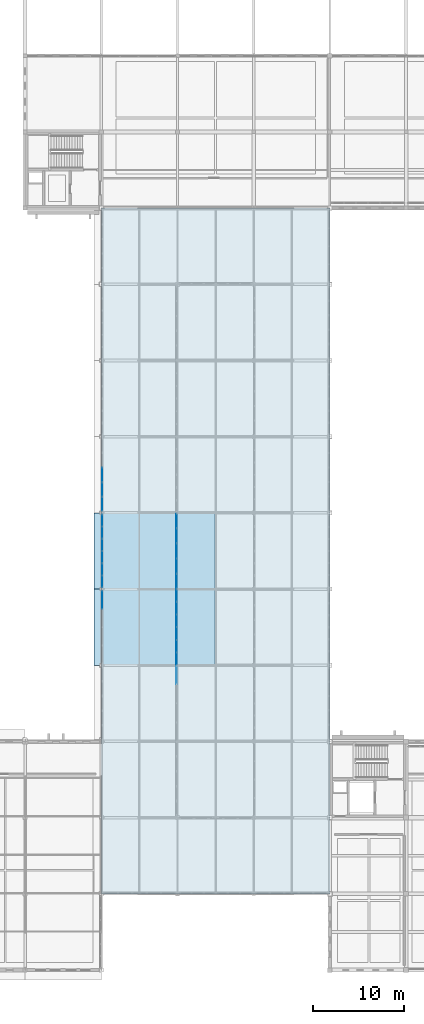
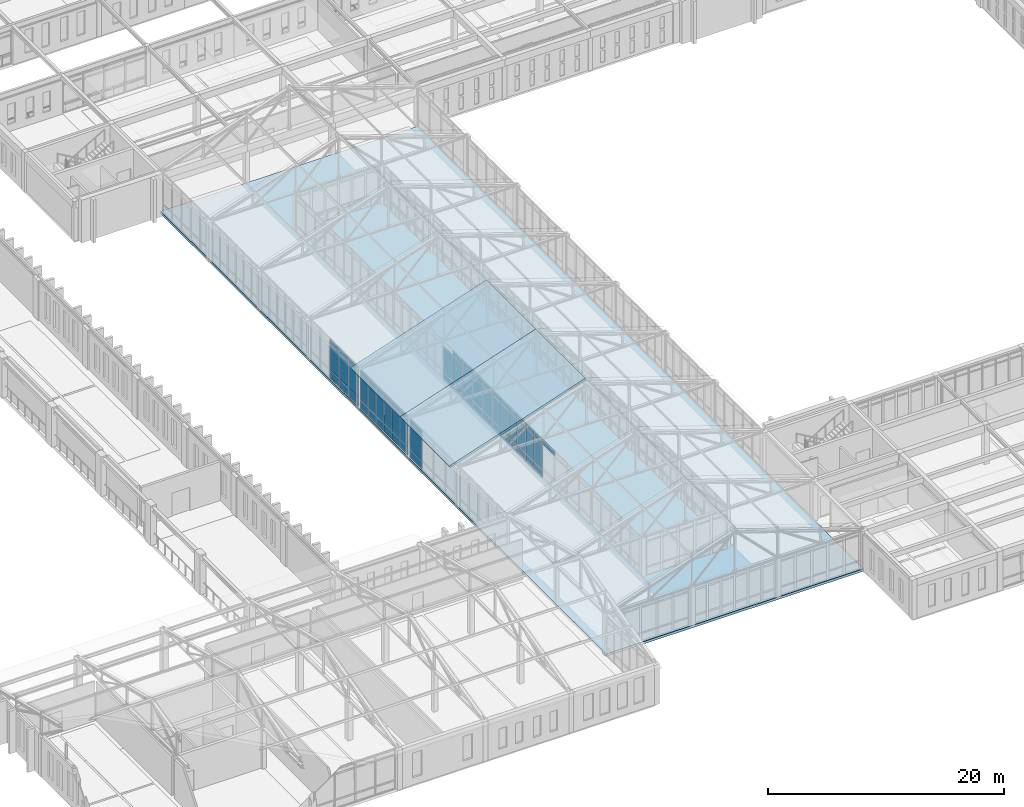
# One storey, part 113 of 192: 63 plates, 3 slabs, 6 elements without a shape of their own.
"""IFC4 building model written with IfcOpenShell, lengths in metres."""

from ifc_helpers import new_model, si_unit, direction, frame, origin, origin_2d, place, context, subcontext, project, spatial, polyline, rectangle, outline, extrude, material, layer, layer_set, type_object, element, aggregate, save


model = new_model("IFC4")

# Units and contexts
model_context = context("Model", 3, precision=1e-05, world=origin(), true_north=direction((0.0, 1.0)))
body_context = subcontext(model_context, "Body", "Model", "MODEL_VIEW")
ifc_project = project(units=[si_unit("LENGTHUNIT", "METRE"), si_unit("AREAUNIT", "SQUARE_METRE"), si_unit("VOLUMEUNIT", "CUBIC_METRE"), si_unit("PLANEANGLEUNIT", "RADIAN"), si_unit("MASSUNIT", "GRAM", prefix="KILO")], contexts=[model_context])

# Site, building, storey
site_placement = place(None, origin())
site = spatial("IfcSite", under=ifc_project, at=site_placement, CompositionType="ELEMENT")
building_placement = place(site_placement, origin())
building = spatial("IfcBuilding", under=site, at=building_placement, Name="Kveldsbrygga Polytechnic", CompositionType="ELEMENT")
storey_placement = place(building_placement, frame((0.0, 0.0, 5.43994140625)))
storey = spatial("IfcBuildingStorey", under=building, at=storey_placement, Name="L01", CompositionType="ELEMENT", Elevation=5.43994140625)

# Curtain wall, plates
ifc_material_1 = material(Name="Anodised aluminium AW-6060", Category="aluminium")
ifc_layer_1 = layer(ifc_material_1, 0.18994140625)
ifc_layer_set_1 = layer_set([ifc_layer_1], Name="Anodised aluminium AW-6060")
curtain_wall_type_1 = type_object("IfcCurtainWallType", Name="CW-REFC-G", PredefinedType="USERDEFINED", material=ifc_layer_set_1)
curtain_wall_1_placement = place(storey_placement, origin())
curtain_wall_1 = element("IfcCurtainWall", 1, at=curtain_wall_1_placement, inside=storey, type_object=curtain_wall_type_1, Name="Curtain Wall CW-L01-Y-07-05", ObjectType="UNITISED CURTAIN WALL", PredefinedType="USERDEFINED")
ifc_material_2 = material(Name="Insulated triple low-E glass", Category="glass")
ifc_layer_2 = layer(ifc_material_2, 0.035888671875)
ifc_layer_set_2 = layer_set([ifc_layer_2], Name="Insulated triple low-E glass")
plate_type_1 = type_object("IfcPlateType", Name="CW-PAN-VIS36", PredefinedType="CURTAIN_PANEL", material=ifc_layer_set_2)
plate_1_placement = place(storey_placement, frame((58.699951171875, 42.858642578125, 0.06005859375), z_axis=(0.0, 0.0, 1.0), x_axis=(0.0, 1.0, 0.0)))
plate_1 = element("IfcPlate", 2, at=plate_1_placement, type_object=plate_type_1, Name="CW-07 panel 1.1", PredefinedType="CURTAIN_PANEL", context=body_context, shape_type="SweptSolid", body=[
    extrude(rectangle(XDim=1.5673828125, YDim=0.035888671875, at=origin_2d()), origin(), (0.0, 0.0, 1.0), 0.81005859375),
])
plate_2_placement = place(storey_placement, frame((58.699951171875, 42.858642578125, 0.93017578125), z_axis=(0.0, 0.0, 1.0), x_axis=(0.0, 1.0, 0.0)))
plate_2 = element("IfcPlate", 3, at=plate_2_placement, type_object=plate_type_1, Name="CW-07 panel 1.2", PredefinedType="CURTAIN_PANEL", context=body_context, shape_type="SweptSolid", body=[
    extrude(rectangle(XDim=1.5673828125, YDim=0.035888671875, at=origin_2d()), origin(), (0.0, 0.0, 1.0), 2.610107421875),
])
plate_3_placement = place(storey_placement, frame((58.699951171875, 42.858642578125, 3.60009765625), z_axis=(0.0, 0.0, 1.0), x_axis=(0.0, 1.0, 0.0)))
plate_3 = element("IfcPlate", 4, at=plate_3_placement, type_object=plate_type_1, Name="CW-07 panel 1.3", PredefinedType="CURTAIN_PANEL", context=body_context, shape_type="SweptSolid", body=[
    extrude(rectangle(XDim=1.5673828125, YDim=0.035888671875, at=origin_2d()), origin(), (0.0, 0.0, 1.0), 0.4599609375),
])
plate_4_placement = place(storey_placement, frame((58.699951171875, 44.52001953125, 0.06005859375), z_axis=(0.0, 0.0, 1.0), x_axis=(0.0, 1.0, 0.0)))
plate_4 = element("IfcPlate", 5, at=plate_4_placement, type_object=plate_type_1, Name="CW-07 panel 2.1", PredefinedType="CURTAIN_PANEL", context=body_context, shape_type="SweptSolid", body=[
    extrude(rectangle(XDim=1.60498046875, YDim=0.035888671875, at=origin_2d()), origin(), (0.0, 0.0, 1.0), 0.81005859375),
])
plate_5_placement = place(storey_placement, frame((58.699951171875, 44.52001953125, 0.93017578125), z_axis=(0.0, 0.0, 1.0), x_axis=(0.0, 1.0, 0.0)))
plate_5 = element("IfcPlate", 6, at=plate_5_placement, type_object=plate_type_1, Name="CW-07 panel 2.2", PredefinedType="CURTAIN_PANEL", context=body_context, shape_type="SweptSolid", body=[
    extrude(rectangle(XDim=1.60498046875, YDim=0.035888671875, at=origin_2d()), origin(), (0.0, 0.0, 1.0), 2.610107421875),
])
plate_6_placement = place(storey_placement, frame((58.699951171875, 44.52001953125, 3.60009765625), z_axis=(0.0, 0.0, 1.0), x_axis=(0.0, 1.0, 0.0)))
plate_6 = element("IfcPlate", 7, at=plate_6_placement, type_object=plate_type_1, Name="CW-07 panel 2.3", PredefinedType="CURTAIN_PANEL", context=body_context, shape_type="SweptSolid", body=[
    extrude(rectangle(XDim=1.60498046875, YDim=0.035888671875, at=origin_2d()), origin(), (0.0, 0.0, 1.0), 0.4599609375),
])
plate_7_placement = place(storey_placement, frame((58.699951171875, 46.199951171875, 0.06005859375), z_axis=(0.0, 0.0, 1.0), x_axis=(0.0, 1.0, 0.0)))
plate_7 = element("IfcPlate", 8, at=plate_7_placement, type_object=plate_type_1, Name="CW-07 panel 3.1", PredefinedType="CURTAIN_PANEL", context=body_context, shape_type="SweptSolid", body=[
    extrude(rectangle(XDim=1.60498046875, YDim=0.035888671875, at=origin_2d()), origin(), (0.0, 0.0, 1.0), 0.81005859375),
])
plate_8_placement = place(storey_placement, frame((58.699951171875, 46.199951171875, 0.93017578125), z_axis=(0.0, 0.0, 1.0), x_axis=(0.0, 1.0, 0.0)))
plate_8 = element("IfcPlate", 9, at=plate_8_placement, type_object=plate_type_1, Name="CW-07 panel 3.2", PredefinedType="CURTAIN_PANEL", context=body_context, shape_type="SweptSolid", body=[
    extrude(rectangle(XDim=1.60498046875, YDim=0.035888671875, at=origin_2d()), origin(), (0.0, 0.0, 1.0), 2.610107421875),
])
plate_9_placement = place(storey_placement, frame((58.699951171875, 46.199951171875, 3.60009765625), z_axis=(0.0, 0.0, 1.0), x_axis=(0.0, 1.0, 0.0)))
plate_9 = element("IfcPlate", 10, at=plate_9_placement, type_object=plate_type_1, Name="CW-07 panel 3.3", PredefinedType="CURTAIN_PANEL", context=body_context, shape_type="SweptSolid", body=[
    extrude(rectangle(XDim=1.60498046875, YDim=0.035888671875, at=origin_2d()), origin(), (0.0, 0.0, 1.0), 0.4599609375),
])
plate_10_placement = place(storey_placement, frame((58.699951171875, 47.8798828125, 0.06005859375), z_axis=(0.0, 0.0, 1.0), x_axis=(0.0, 1.0, 0.0)))
plate_10 = element("IfcPlate", 11, at=plate_10_placement, type_object=plate_type_1, Name="CW-07 panel 4.1", PredefinedType="CURTAIN_PANEL", context=body_context, shape_type="SweptSolid", body=[
    extrude(rectangle(XDim=1.60498046875, YDim=0.035888671875, at=origin_2d()), origin(), (0.0, 0.0, 1.0), 0.81005859375),
])
plate_11_placement = place(storey_placement, frame((58.699951171875, 47.8798828125, 0.93017578125), z_axis=(0.0, 0.0, 1.0), x_axis=(0.0, 1.0, 0.0)))
plate_11 = element("IfcPlate", 12, at=plate_11_placement, type_object=plate_type_1, Name="CW-07 panel 4.2", PredefinedType="CURTAIN_PANEL", context=body_context, shape_type="SweptSolid", body=[
    extrude(rectangle(XDim=1.60498046875, YDim=0.035888671875, at=origin_2d()), origin(), (0.0, 0.0, 1.0), 2.610107421875),
])
plate_12_placement = place(storey_placement, frame((58.699951171875, 47.8798828125, 3.60009765625), z_axis=(0.0, 0.0, 1.0), x_axis=(0.0, 1.0, 0.0)))
plate_12 = element("IfcPlate", 13, at=plate_12_placement, type_object=plate_type_1, Name="CW-07 panel 4.3", PredefinedType="CURTAIN_PANEL", context=body_context, shape_type="SweptSolid", body=[
    extrude(rectangle(XDim=1.60498046875, YDim=0.035888671875, at=origin_2d()), origin(), (0.0, 0.0, 1.0), 0.4599609375),
])
plate_13_placement = place(storey_placement, frame((58.699951171875, 49.541259765625, 0.06005859375), z_axis=(0.0, 0.0, 1.0), x_axis=(0.0, 1.0, 0.0)))
plate_13 = element("IfcPlate", 14, at=plate_13_placement, type_object=plate_type_1, Name="CW-07 panel 5.1", PredefinedType="CURTAIN_PANEL", context=body_context, shape_type="SweptSolid", body=[
    extrude(rectangle(XDim=1.5673828125, YDim=0.035888671875, at=origin_2d()), origin(), (0.0, 0.0, 1.0), 0.81005859375),
])
plate_14_placement = place(storey_placement, frame((58.699951171875, 49.541259765625, 0.93017578125), z_axis=(0.0, 0.0, 1.0), x_axis=(0.0, 1.0, 0.0)))
plate_14 = element("IfcPlate", 15, at=plate_14_placement, type_object=plate_type_1, Name="CW-07 panel 5.2", PredefinedType="CURTAIN_PANEL", context=body_context, shape_type="SweptSolid", body=[
    extrude(rectangle(XDim=1.5673828125, YDim=0.035888671875, at=origin_2d()), origin(), (0.0, 0.0, 1.0), 2.610107421875),
])
aggregate(curtain_wall_1, [plate_1, plate_2, plate_3, plate_4, plate_5, plate_6, plate_7, plate_8, plate_9, plate_10, plate_11, plate_12, plate_13, plate_14])

curtain_wall_2_placement = place(storey_placement, origin())
curtain_wall_2 = element("IfcCurtainWall", 16, at=curtain_wall_2_placement, inside=storey, type_object=curtain_wall_type_1, Name="Curtain Wall CW-L01-Y-06-06", ObjectType="UNITISED CURTAIN WALL", PredefinedType="USERDEFINED")
plate_15_placement = place(storey_placement, frame((50.5, 51.3828125, 0.06005859375), z_axis=(0.0, 0.0, 1.0), x_axis=(0.0, 1.0, 0.0)))
plate_15 = element("IfcPlate", 17, at=plate_15_placement, type_object=plate_type_1, Name="CW-07 panel 1.1", PredefinedType="CURTAIN_PANEL", context=body_context, shape_type="SweptSolid", body=[
    extrude(rectangle(XDim=1.505615234375, YDim=0.035888671875, at=origin_2d()), origin(), (0.0, 0.0, 1.0), 0.81005859375),
])
plate_16_placement = place(storey_placement, frame((50.5, 51.3828125, 0.93017578125), z_axis=(0.0, 0.0, 1.0), x_axis=(0.0, 1.0, 0.0)))
plate_16 = element("IfcPlate", 18, at=plate_16_placement, type_object=plate_type_1, Name="CW-07 panel 1.2", PredefinedType="CURTAIN_PANEL", context=body_context, shape_type="SweptSolid", body=[
    extrude(rectangle(XDim=1.505615234375, YDim=0.035888671875, at=origin_2d()), origin(), (0.0, 0.0, 1.0), 2.610107421875),
])
plate_17_placement = place(storey_placement, frame((50.5, 51.3828125, 3.60009765625), z_axis=(0.0, 0.0, 1.0), x_axis=(0.0, 1.0, 0.0)))
plate_17 = element("IfcPlate", 19, at=plate_17_placement, type_object=plate_type_1, Name="CW-07 panel 1.3", PredefinedType="CURTAIN_PANEL", context=body_context, shape_type="SweptSolid", body=[
    extrude(rectangle(XDim=1.505615234375, YDim=0.035888671875, at=origin_2d()), origin(), (0.0, 0.0, 1.0), 0.4599609375),
])
plate_18_placement = place(storey_placement, frame((50.5, 52.98193359375, 0.06005859375), z_axis=(0.0, 0.0, 1.0), x_axis=(0.0, 1.0, 0.0)))
plate_18 = element("IfcPlate", 20, at=plate_18_placement, type_object=plate_type_1, Name="CW-07 panel 2.1", PredefinedType="CURTAIN_PANEL", context=body_context, shape_type="SweptSolid", body=[
    extrude(rectangle(XDim=1.54296875, YDim=0.035888671875, at=origin_2d()), origin(), (0.0, 0.0, 1.0), 0.81005859375),
])
plate_19_placement = place(storey_placement, frame((50.5, 52.98193359375, 0.93017578125), z_axis=(0.0, 0.0, 1.0), x_axis=(0.0, 1.0, 0.0)))
plate_19 = element("IfcPlate", 21, at=plate_19_placement, type_object=plate_type_1, Name="CW-07 panel 2.2", PredefinedType="CURTAIN_PANEL", context=body_context, shape_type="SweptSolid", body=[
    extrude(rectangle(XDim=1.54296875, YDim=0.035888671875, at=origin_2d()), origin(), (0.0, 0.0, 1.0), 2.610107421875),
])
plate_20_placement = place(storey_placement, frame((50.5, 52.98193359375, 3.60009765625), z_axis=(0.0, 0.0, 1.0), x_axis=(0.0, 1.0, 0.0)))
plate_20 = element("IfcPlate", 22, at=plate_20_placement, type_object=plate_type_1, Name="CW-07 panel 2.3", PredefinedType="CURTAIN_PANEL", context=body_context, shape_type="SweptSolid", body=[
    extrude(rectangle(XDim=1.54296875, YDim=0.035888671875, at=origin_2d()), origin(), (0.0, 0.0, 1.0), 0.4599609375),
])
plate_21_placement = place(storey_placement, frame((50.5, 54.60009765625, 0.06005859375), z_axis=(0.0, 0.0, 1.0), x_axis=(0.0, 1.0, 0.0)))
plate_21 = element("IfcPlate", 23, at=plate_21_placement, type_object=plate_type_1, Name="CW-07 panel 3.1", PredefinedType="CURTAIN_PANEL", context=body_context, shape_type="SweptSolid", body=[
    extrude(rectangle(XDim=1.54296875, YDim=0.035888671875, at=origin_2d()), origin(), (0.0, 0.0, 1.0), 0.81005859375),
])
plate_22_placement = place(storey_placement, frame((50.5, 54.60009765625, 0.93017578125), z_axis=(0.0, 0.0, 1.0), x_axis=(0.0, 1.0, 0.0)))
plate_22 = element("IfcPlate", 24, at=plate_22_placement, type_object=plate_type_1, Name="CW-07 panel 3.2", PredefinedType="CURTAIN_PANEL", context=body_context, shape_type="SweptSolid", body=[
    extrude(rectangle(XDim=1.54296875, YDim=0.035888671875, at=origin_2d()), origin(), (0.0, 0.0, 1.0), 2.610107421875),
])
plate_23_placement = place(storey_placement, frame((50.5, 54.60009765625, 3.60009765625), z_axis=(0.0, 0.0, 1.0), x_axis=(0.0, 1.0, 0.0)))
plate_23 = element("IfcPlate", 25, at=plate_23_placement, type_object=plate_type_1, Name="CW-07 panel 3.3", PredefinedType="CURTAIN_PANEL", context=body_context, shape_type="SweptSolid", body=[
    extrude(rectangle(XDim=1.54296875, YDim=0.035888671875, at=origin_2d()), origin(), (0.0, 0.0, 1.0), 0.4599609375),
])
aggregate(curtain_wall_2, [plate_15, plate_16, plate_17, plate_18, plate_19, plate_20, plate_21, plate_22, plate_23])

# Curtain wall, plate
ifc_layer_3 = layer(ifc_material_1, 0.199951171875)
ifc_layer_set_3 = layer_set([ifc_layer_3], Name="Anodised aluminium AW-6060")
curtain_wall_type_2 = type_object("IfcCurtainWallType", Name="CW-LANC-E", PredefinedType="USERDEFINED", material=ifc_layer_set_3)
curtain_wall_3_placement = place(storey_placement, origin())
curtain_wall_3 = element("IfcCurtainWall", 26, at=curtain_wall_3_placement, inside=storey, type_object=curtain_wall_type_2, Name="Curtain Wall CW-L01-Y-07-03", ObjectType="UNITISED CURTAIN WALL", PredefinedType="USERDEFINED")
ifc_layer_4 = layer(ifc_material_2, 0.0419921875)
ifc_layer_set_4 = layer_set([ifc_layer_4], Name="Insulated triple low-E glass")
plate_type_2 = type_object("IfcPlateType", Name="CW-PAN-VIS42", PredefinedType="CURTAIN_PANEL", material=ifc_layer_set_4)
plate_24_placement = place(storey_placement, frame((58.699951171875, 32.534912109375, 3.60009765625), z_axis=(0.0, 0.0, 1.0), x_axis=(0.0, 1.0, 0.0)))
plate_24 = element("IfcPlate", 27, at=plate_24_placement, type_object=plate_type_2, Name="CW-05 panel 4.3", PredefinedType="CURTAIN_PANEL", context=body_context, shape_type="SweptSolid", body=[
    extrude(rectangle(XDim=2.010009765625, YDim=0.0419921875, at=origin_2d()), origin(), (0.0, 0.0, 1.0), 0.4599609375),
])
aggregate(curtain_wall_3, [plate_24])

# Curtain wall, plates
curtain_wall_4_placement = place(storey_placement, origin())
curtain_wall_4 = element("IfcCurtainWall", 28, at=curtain_wall_4_placement, inside=storey, type_object=curtain_wall_type_2, Name="Curtain Wall CW-L01-Y-06-04", ObjectType="UNITISED CURTAIN WALL", PredefinedType="USERDEFINED")
plate_25_placement = place(storey_placement, frame((50.5, 40.81884765625, 0.06005859375), z_axis=(0.0, 0.0, 1.0), x_axis=(0.0, 1.0, 0.0)))
plate_25 = element("IfcPlate", 29, at=plate_25_placement, type_object=plate_type_2, Name="CW-05 panel 4.1", PredefinedType="CURTAIN_PANEL", context=body_context, shape_type="SweptSolid", body=[
    extrude(rectangle(XDim=1.9326171875, YDim=0.0419921875, at=origin_2d()), origin(), (0.0, 0.0, 1.0), 0.81005859375),
])
plate_26_placement = place(storey_placement, frame((50.5, 40.81884765625, 0.93017578125), z_axis=(0.0, 0.0, 1.0), x_axis=(0.0, 1.0, 0.0)))
plate_26 = element("IfcPlate", 30, at=plate_26_placement, type_object=plate_type_2, Name="CW-05 panel 4.2", PredefinedType="CURTAIN_PANEL", context=body_context, shape_type="SweptSolid", body=[
    extrude(rectangle(XDim=1.9326171875, YDim=0.0419921875, at=origin_2d()), origin(), (0.0, 0.0, 1.0), 2.610107421875),
])
plate_27_placement = place(storey_placement, frame((50.5, 40.81884765625, 3.60009765625), z_axis=(0.0, 0.0, 1.0), x_axis=(0.0, 1.0, 0.0)))
plate_27 = element("IfcPlate", 31, at=plate_27_placement, type_object=plate_type_2, Name="CW-05 panel 4.3", PredefinedType="CURTAIN_PANEL", context=body_context, shape_type="SweptSolid", body=[
    extrude(rectangle(XDim=1.9326171875, YDim=0.0419921875, at=origin_2d()), origin(), (0.0, 0.0, 1.0), 0.4599609375),
])
aggregate(curtain_wall_4, [plate_25, plate_26, plate_27])

ifc_layer_5 = layer(ifc_material_1, 0.169921875)
ifc_layer_set_5 = layer_set([ifc_layer_5], Name="Anodised aluminium AW-6060")
curtain_wall_type_3 = type_object("IfcCurtainWallType", Name="CW-FOYR-F", PredefinedType="USERDEFINED", material=ifc_layer_set_5)
curtain_wall_5_placement = place(storey_placement, origin())
curtain_wall_5 = element("IfcCurtainWall", 32, at=curtain_wall_5_placement, inside=storey, type_object=curtain_wall_type_3, Name="Curtain Wall CW-L01-Y-07-04", ObjectType="STICK CURTAIN WALL", PredefinedType="USERDEFINED")
ifc_layer_6 = layer(ifc_material_2, 0.048095703125)
ifc_layer_set_6 = layer_set([ifc_layer_6], Name="Insulated triple low-E glass")
plate_type_3 = type_object("IfcPlateType", Name="CW-PAN-VIS48", PredefinedType="CURTAIN_PANEL", material=ifc_layer_set_6)
plate_28_placement = place(storey_placement, frame((58.699951171875, 34.31494140625, 0.074951171875), z_axis=(0.0, 0.0, 1.0), x_axis=(0.0, 1.0, 0.0)))
plate_28 = element("IfcPlate", 33, at=plate_28_placement, type_object=plate_type_3, Name="CW-06 panel 1.1", PredefinedType="CURTAIN_PANEL", context=body_context, shape_type="SweptSolid", body=[
    extrude(rectangle(XDim=1.31005859375, YDim=0.048095703125, at=origin_2d()), origin(), (0.0, 0.0, 1.0), 0.78759765625),
])
plate_29_placement = place(storey_placement, frame((58.699951171875, 34.31494140625, 0.9375), z_axis=(0.0, 0.0, 1.0), x_axis=(0.0, 1.0, 0.0)))
plate_29 = element("IfcPlate", 34, at=plate_29_placement, type_object=plate_type_3, Name="CW-06 panel 1.2", PredefinedType="CURTAIN_PANEL", context=body_context, shape_type="SweptSolid", body=[
    extrude(rectangle(XDim=1.31005859375, YDim=0.048095703125, at=origin_2d()), origin(), (0.0, 0.0, 1.0), 2.594970703125),
])
plate_30_placement = place(storey_placement, frame((58.699951171875, 34.31494140625, 3.607666015625), z_axis=(0.0, 0.0, 1.0), x_axis=(0.0, 1.0, 0.0)))
plate_30 = element("IfcPlate", 35, at=plate_30_placement, type_object=plate_type_3, Name="CW-06 panel 1.3", PredefinedType="CURTAIN_PANEL", context=body_context, shape_type="SweptSolid", body=[
    extrude(rectangle(XDim=1.31005859375, YDim=0.048095703125, at=origin_2d()), origin(), (0.0, 0.0, 1.0), 0.4375),
])
plate_31_placement = place(storey_placement, frame((58.699951171875, 35.699951171875, 0.074951171875), z_axis=(0.0, 0.0, 1.0), x_axis=(0.0, 1.0, 0.0)))
plate_31 = element("IfcPlate", 36, at=plate_31_placement, type_object=plate_type_3, Name="CW-06 panel 2.1", PredefinedType="CURTAIN_PANEL", context=body_context, shape_type="SweptSolid", body=[
    extrude(rectangle(XDim=1.340087890625, YDim=0.048095703125, at=origin_2d()), origin(), (0.0, 0.0, 1.0), 0.78759765625),
])
plate_32_placement = place(storey_placement, frame((58.699951171875, 35.699951171875, 0.9375), z_axis=(0.0, 0.0, 1.0), x_axis=(0.0, 1.0, 0.0)))
plate_32 = element("IfcPlate", 37, at=plate_32_placement, type_object=plate_type_3, Name="CW-06 panel 2.2", PredefinedType="CURTAIN_PANEL", context=body_context, shape_type="SweptSolid", body=[
    extrude(rectangle(XDim=1.340087890625, YDim=0.048095703125, at=origin_2d()), origin(), (0.0, 0.0, 1.0), 2.594970703125),
])
plate_33_placement = place(storey_placement, frame((58.699951171875, 35.699951171875, 3.607666015625), z_axis=(0.0, 0.0, 1.0), x_axis=(0.0, 1.0, 0.0)))
plate_33 = element("IfcPlate", 38, at=plate_33_placement, type_object=plate_type_3, Name="CW-06 panel 2.3", PredefinedType="CURTAIN_PANEL", context=body_context, shape_type="SweptSolid", body=[
    extrude(rectangle(XDim=1.340087890625, YDim=0.048095703125, at=origin_2d()), origin(), (0.0, 0.0, 1.0), 0.4375),
])
plate_34_placement = place(storey_placement, frame((58.699951171875, 37.10009765625, 0.074951171875), z_axis=(0.0, 0.0, 1.0), x_axis=(0.0, 1.0, 0.0)))
plate_34 = element("IfcPlate", 39, at=plate_34_placement, type_object=plate_type_3, Name="CW-06 panel 3.1", PredefinedType="CURTAIN_PANEL", context=body_context, shape_type="SweptSolid", body=[
    extrude(rectangle(XDim=1.340087890625, YDim=0.048095703125, at=origin_2d()), origin(), (0.0, 0.0, 1.0), 0.78759765625),
])
plate_35_placement = place(storey_placement, frame((58.699951171875, 37.10009765625, 0.9375), z_axis=(0.0, 0.0, 1.0), x_axis=(0.0, 1.0, 0.0)))
plate_35 = element("IfcPlate", 40, at=plate_35_placement, type_object=plate_type_3, Name="CW-06 panel 3.2", PredefinedType="CURTAIN_PANEL", context=body_context, shape_type="SweptSolid", body=[
    extrude(rectangle(XDim=1.340087890625, YDim=0.048095703125, at=origin_2d()), origin(), (0.0, 0.0, 1.0), 2.594970703125),
])
plate_36_placement = place(storey_placement, frame((58.699951171875, 37.10009765625, 3.607666015625), z_axis=(0.0, 0.0, 1.0), x_axis=(0.0, 1.0, 0.0)))
plate_36 = element("IfcPlate", 41, at=plate_36_placement, type_object=plate_type_3, Name="CW-06 panel 3.3", PredefinedType="CURTAIN_PANEL", context=body_context, shape_type="SweptSolid", body=[
    extrude(rectangle(XDim=1.340087890625, YDim=0.048095703125, at=origin_2d()), origin(), (0.0, 0.0, 1.0), 0.4375),
])
plate_37_placement = place(storey_placement, frame((58.699951171875, 38.5, 0.074951171875), z_axis=(0.0, 0.0, 1.0), x_axis=(0.0, 1.0, 0.0)))
plate_37 = element("IfcPlate", 42, at=plate_37_placement, type_object=plate_type_3, Name="CW-06 panel 4.1", PredefinedType="CURTAIN_PANEL", context=body_context, shape_type="SweptSolid", body=[
    extrude(rectangle(XDim=1.340087890625, YDim=0.048095703125, at=origin_2d()), origin(), (0.0, 0.0, 1.0), 0.78759765625),
])
plate_38_placement = place(storey_placement, frame((58.699951171875, 38.5, 0.9375), z_axis=(0.0, 0.0, 1.0), x_axis=(0.0, 1.0, 0.0)))
plate_38 = element("IfcPlate", 43, at=plate_38_placement, type_object=plate_type_3, Name="CW-06 panel 4.2", PredefinedType="CURTAIN_PANEL", context=body_context, shape_type="SweptSolid", body=[
    extrude(rectangle(XDim=1.340087890625, YDim=0.048095703125, at=origin_2d()), origin(), (0.0, 0.0, 1.0), 2.594970703125),
])
plate_39_placement = place(storey_placement, frame((58.699951171875, 38.5, 3.607666015625), z_axis=(0.0, 0.0, 1.0), x_axis=(0.0, 1.0, 0.0)))
plate_39 = element("IfcPlate", 44, at=plate_39_placement, type_object=plate_type_3, Name="CW-06 panel 4.3", PredefinedType="CURTAIN_PANEL", context=body_context, shape_type="SweptSolid", body=[
    extrude(rectangle(XDim=1.340087890625, YDim=0.048095703125, at=origin_2d()), origin(), (0.0, 0.0, 1.0), 0.4375),
])
plate_40_placement = place(storey_placement, frame((58.699951171875, 39.89990234375, 0.074951171875), z_axis=(0.0, 0.0, 1.0), x_axis=(0.0, 1.0, 0.0)))
plate_40 = element("IfcPlate", 45, at=plate_40_placement, type_object=plate_type_3, Name="CW-06 panel 5.1", PredefinedType="CURTAIN_PANEL", context=body_context, shape_type="SweptSolid", body=[
    extrude(rectangle(XDim=1.340087890625, YDim=0.048095703125, at=origin_2d()), origin(), (0.0, 0.0, 1.0), 0.78759765625),
])
plate_41_placement = place(storey_placement, frame((58.699951171875, 39.89990234375, 0.9375), z_axis=(0.0, 0.0, 1.0), x_axis=(0.0, 1.0, 0.0)))
plate_41 = element("IfcPlate", 46, at=plate_41_placement, type_object=plate_type_3, Name="CW-06 panel 5.2", PredefinedType="CURTAIN_PANEL", context=body_context, shape_type="SweptSolid", body=[
    extrude(rectangle(XDim=1.340087890625, YDim=0.048095703125, at=origin_2d()), origin(), (0.0, 0.0, 1.0), 2.594970703125),
])
plate_42_placement = place(storey_placement, frame((58.699951171875, 39.89990234375, 3.607666015625), z_axis=(0.0, 0.0, 1.0), x_axis=(0.0, 1.0, 0.0)))
plate_42 = element("IfcPlate", 47, at=plate_42_placement, type_object=plate_type_3, Name="CW-06 panel 5.3", PredefinedType="CURTAIN_PANEL", context=body_context, shape_type="SweptSolid", body=[
    extrude(rectangle(XDim=1.340087890625, YDim=0.048095703125, at=origin_2d()), origin(), (0.0, 0.0, 1.0), 0.4375),
])
plate_43_placement = place(storey_placement, frame((58.699951171875, 41.284912109375, 0.074951171875), z_axis=(0.0, 0.0, 1.0), x_axis=(0.0, 1.0, 0.0)))
plate_43 = element("IfcPlate", 48, at=plate_43_placement, type_object=plate_type_3, Name="CW-06 panel 6.1", PredefinedType="CURTAIN_PANEL", context=body_context, shape_type="SweptSolid", body=[
    extrude(rectangle(XDim=1.31005859375, YDim=0.048095703125, at=origin_2d()), origin(), (0.0, 0.0, 1.0), 0.78759765625),
])
plate_44_placement = place(storey_placement, frame((58.699951171875, 41.284912109375, 0.9375), z_axis=(0.0, 0.0, 1.0), x_axis=(0.0, 1.0, 0.0)))
plate_44 = element("IfcPlate", 49, at=plate_44_placement, type_object=plate_type_3, Name="CW-06 panel 6.2", PredefinedType="CURTAIN_PANEL", context=body_context, shape_type="SweptSolid", body=[
    extrude(rectangle(XDim=1.31005859375, YDim=0.048095703125, at=origin_2d()), origin(), (0.0, 0.0, 1.0), 2.594970703125),
])
plate_45_placement = place(storey_placement, frame((58.699951171875, 41.284912109375, 3.607666015625), z_axis=(0.0, 0.0, 1.0), x_axis=(0.0, 1.0, 0.0)))
plate_45 = element("IfcPlate", 50, at=plate_45_placement, type_object=plate_type_3, Name="CW-06 panel 6.3", PredefinedType="CURTAIN_PANEL", context=body_context, shape_type="SweptSolid", body=[
    extrude(rectangle(XDim=1.31005859375, YDim=0.048095703125, at=origin_2d()), origin(), (0.0, 0.0, 1.0), 0.4375),
])
aggregate(curtain_wall_5, [plate_28, plate_29, plate_30, plate_31, plate_32, plate_33, plate_34, plate_35, plate_36, plate_37, plate_38, plate_39, plate_40, plate_41, plate_42, plate_43, plate_44, plate_45])

curtain_wall_6_placement = place(storey_placement, origin())
curtain_wall_6 = element("IfcCurtainWall", 51, at=curtain_wall_6_placement, inside=storey, type_object=curtain_wall_type_3, Name="Curtain Wall CW-L01-Y-06-05", ObjectType="STICK CURTAIN WALL", PredefinedType="USERDEFINED")
plate_46_placement = place(storey_placement, frame((50.5, 42.84423828125, 0.074951171875), z_axis=(0.0, 0.0, 1.0), x_axis=(0.0, 1.0, 0.0)))
plate_46 = element("IfcPlate", 52, at=plate_46_placement, type_object=plate_type_3, Name="CW-06 panel 1.1", PredefinedType="CURTAIN_PANEL", context=body_context, shape_type="SweptSolid", body=[
    extrude(rectangle(XDim=1.25830078125, YDim=0.048095703125, at=origin_2d()), origin(), (0.0, 0.0, 1.0), 0.78759765625),
])
plate_47_placement = place(storey_placement, frame((50.5, 42.84423828125, 0.9375), z_axis=(0.0, 0.0, 1.0), x_axis=(0.0, 1.0, 0.0)))
plate_47 = element("IfcPlate", 53, at=plate_47_placement, type_object=plate_type_3, Name="CW-06 panel 1.2", PredefinedType="CURTAIN_PANEL", context=body_context, shape_type="SweptSolid", body=[
    extrude(rectangle(XDim=1.25830078125, YDim=0.048095703125, at=origin_2d()), origin(), (0.0, 0.0, 1.0), 2.594970703125),
])
plate_48_placement = place(storey_placement, frame((50.5, 42.84423828125, 3.607666015625), z_axis=(0.0, 0.0, 1.0), x_axis=(0.0, 1.0, 0.0)))
plate_48 = element("IfcPlate", 54, at=plate_48_placement, type_object=plate_type_3, Name="CW-06 panel 1.3", PredefinedType="CURTAIN_PANEL", context=body_context, shape_type="SweptSolid", body=[
    extrude(rectangle(XDim=1.25830078125, YDim=0.048095703125, at=origin_2d()), origin(), (0.0, 0.0, 1.0), 0.4375),
])
plate_49_placement = place(storey_placement, frame((50.5, 44.177490234375, 0.074951171875), z_axis=(0.0, 0.0, 1.0), x_axis=(0.0, 1.0, 0.0)))
plate_49 = element("IfcPlate", 55, at=plate_49_placement, type_object=plate_type_3, Name="CW-06 panel 2.1", PredefinedType="CURTAIN_PANEL", context=body_context, shape_type="SweptSolid", body=[
    extrude(rectangle(XDim=1.288330078125, YDim=0.048095703125, at=origin_2d()), origin(), (0.0, 0.0, 1.0), 0.78759765625),
])
plate_50_placement = place(storey_placement, frame((50.5, 44.177490234375, 0.9375), z_axis=(0.0, 0.0, 1.0), x_axis=(0.0, 1.0, 0.0)))
plate_50 = element("IfcPlate", 56, at=plate_50_placement, type_object=plate_type_3, Name="CW-06 panel 2.2", PredefinedType="CURTAIN_PANEL", context=body_context, shape_type="SweptSolid", body=[
    extrude(rectangle(XDim=1.288330078125, YDim=0.048095703125, at=origin_2d()), origin(), (0.0, 0.0, 1.0), 2.594970703125),
])
plate_51_placement = place(storey_placement, frame((50.5, 44.177490234375, 3.607666015625), z_axis=(0.0, 0.0, 1.0), x_axis=(0.0, 1.0, 0.0)))
plate_51 = element("IfcPlate", 57, at=plate_51_placement, type_object=plate_type_3, Name="CW-06 panel 2.3", PredefinedType="CURTAIN_PANEL", context=body_context, shape_type="SweptSolid", body=[
    extrude(rectangle(XDim=1.288330078125, YDim=0.048095703125, at=origin_2d()), origin(), (0.0, 0.0, 1.0), 0.4375),
])
plate_52_placement = place(storey_placement, frame((50.5, 45.52587890625, 0.074951171875), z_axis=(0.0, 0.0, 1.0), x_axis=(0.0, 1.0, 0.0)))
plate_52 = element("IfcPlate", 58, at=plate_52_placement, type_object=plate_type_3, Name="CW-06 panel 3.1", PredefinedType="CURTAIN_PANEL", context=body_context, shape_type="SweptSolid", body=[
    extrude(rectangle(XDim=1.288330078125, YDim=0.048095703125, at=origin_2d()), origin(), (0.0, 0.0, 1.0), 0.78759765625),
])
plate_53_placement = place(storey_placement, frame((50.5, 45.52587890625, 0.9375), z_axis=(0.0, 0.0, 1.0), x_axis=(0.0, 1.0, 0.0)))
plate_53 = element("IfcPlate", 59, at=plate_53_placement, type_object=plate_type_3, Name="CW-06 panel 3.2", PredefinedType="CURTAIN_PANEL", context=body_context, shape_type="SweptSolid", body=[
    extrude(rectangle(XDim=1.288330078125, YDim=0.048095703125, at=origin_2d()), origin(), (0.0, 0.0, 1.0), 2.594970703125),
])
plate_54_placement = place(storey_placement, frame((50.5, 45.52587890625, 3.607666015625), z_axis=(0.0, 0.0, 1.0), x_axis=(0.0, 1.0, 0.0)))
plate_54 = element("IfcPlate", 60, at=plate_54_placement, type_object=plate_type_3, Name="CW-06 panel 3.3", PredefinedType="CURTAIN_PANEL", context=body_context, shape_type="SweptSolid", body=[
    extrude(rectangle(XDim=1.288330078125, YDim=0.048095703125, at=origin_2d()), origin(), (0.0, 0.0, 1.0), 0.4375),
])
plate_55_placement = place(storey_placement, frame((50.5, 46.874267578125, 0.074951171875), z_axis=(0.0, 0.0, 1.0), x_axis=(0.0, 1.0, 0.0)))
plate_55 = element("IfcPlate", 61, at=plate_55_placement, type_object=plate_type_3, Name="CW-06 panel 4.1", PredefinedType="CURTAIN_PANEL", context=body_context, shape_type="SweptSolid", body=[
    extrude(rectangle(XDim=1.288330078125, YDim=0.048095703125, at=origin_2d()), origin(), (0.0, 0.0, 1.0), 0.78759765625),
])
plate_56_placement = place(storey_placement, frame((50.5, 46.874267578125, 0.9375), z_axis=(0.0, 0.0, 1.0), x_axis=(0.0, 1.0, 0.0)))
plate_56 = element("IfcPlate", 62, at=plate_56_placement, type_object=plate_type_3, Name="CW-06 panel 4.2", PredefinedType="CURTAIN_PANEL", context=body_context, shape_type="SweptSolid", body=[
    extrude(rectangle(XDim=1.288330078125, YDim=0.048095703125, at=origin_2d()), origin(), (0.0, 0.0, 1.0), 2.594970703125),
])
plate_57_placement = place(storey_placement, frame((50.5, 46.874267578125, 3.607666015625), z_axis=(0.0, 0.0, 1.0), x_axis=(0.0, 1.0, 0.0)))
plate_57 = element("IfcPlate", 63, at=plate_57_placement, type_object=plate_type_3, Name="CW-06 panel 4.3", PredefinedType="CURTAIN_PANEL", context=body_context, shape_type="SweptSolid", body=[
    extrude(rectangle(XDim=1.288330078125, YDim=0.048095703125, at=origin_2d()), origin(), (0.0, 0.0, 1.0), 0.4375),
])
plate_58_placement = place(storey_placement, frame((50.5, 48.222412109375, 0.074951171875), z_axis=(0.0, 0.0, 1.0), x_axis=(0.0, 1.0, 0.0)))
plate_58 = element("IfcPlate", 64, at=plate_58_placement, type_object=plate_type_3, Name="CW-06 panel 5.1", PredefinedType="CURTAIN_PANEL", context=body_context, shape_type="SweptSolid", body=[
    extrude(rectangle(XDim=1.288330078125, YDim=0.048095703125, at=origin_2d()), origin(), (0.0, 0.0, 1.0), 0.78759765625),
])
plate_59_placement = place(storey_placement, frame((50.5, 48.222412109375, 0.9375), z_axis=(0.0, 0.0, 1.0), x_axis=(0.0, 1.0, 0.0)))
plate_59 = element("IfcPlate", 65, at=plate_59_placement, type_object=plate_type_3, Name="CW-06 panel 5.2", PredefinedType="CURTAIN_PANEL", context=body_context, shape_type="SweptSolid", body=[
    extrude(rectangle(XDim=1.288330078125, YDim=0.048095703125, at=origin_2d()), origin(), (0.0, 0.0, 1.0), 2.594970703125),
])
plate_60_placement = place(storey_placement, frame((50.5, 48.222412109375, 3.607666015625), z_axis=(0.0, 0.0, 1.0), x_axis=(0.0, 1.0, 0.0)))
plate_60 = element("IfcPlate", 66, at=plate_60_placement, type_object=plate_type_3, Name="CW-06 panel 5.3", PredefinedType="CURTAIN_PANEL", context=body_context, shape_type="SweptSolid", body=[
    extrude(rectangle(XDim=1.288330078125, YDim=0.048095703125, at=origin_2d()), origin(), (0.0, 0.0, 1.0), 0.4375),
])
plate_61_placement = place(storey_placement, frame((50.5, 49.555908203125, 0.074951171875), z_axis=(0.0, 0.0, 1.0), x_axis=(0.0, 1.0, 0.0)))
plate_61 = element("IfcPlate", 67, at=plate_61_placement, type_object=plate_type_3, Name="CW-06 panel 6.1", PredefinedType="CURTAIN_PANEL", context=body_context, shape_type="SweptSolid", body=[
    extrude(rectangle(XDim=1.25830078125, YDim=0.048095703125, at=origin_2d()), origin(), (0.0, 0.0, 1.0), 0.78759765625),
])
plate_62_placement = place(storey_placement, frame((50.5, 49.555908203125, 0.9375), z_axis=(0.0, 0.0, 1.0), x_axis=(0.0, 1.0, 0.0)))
plate_62 = element("IfcPlate", 68, at=plate_62_placement, type_object=plate_type_3, Name="CW-06 panel 6.2", PredefinedType="CURTAIN_PANEL", context=body_context, shape_type="SweptSolid", body=[
    extrude(rectangle(XDim=1.25830078125, YDim=0.048095703125, at=origin_2d()), origin(), (0.0, 0.0, 1.0), 2.594970703125),
])
plate_63_placement = place(storey_placement, frame((50.5, 49.555908203125, 3.607666015625), z_axis=(0.0, 0.0, 1.0), x_axis=(0.0, 1.0, 0.0)))
plate_63 = element("IfcPlate", 69, at=plate_63_placement, type_object=plate_type_3, Name="CW-06 panel 6.3", PredefinedType="CURTAIN_PANEL", context=body_context, shape_type="SweptSolid", body=[
    extrude(rectangle(XDim=1.25830078125, YDim=0.048095703125, at=origin_2d()), origin(), (0.0, 0.0, 1.0), 0.4375),
])
aggregate(curtain_wall_6, [plate_46, plate_47, plate_48, plate_49, plate_50, plate_51, plate_52, plate_53, plate_54, plate_55, plate_56, plate_57, plate_58, plate_59, plate_60, plate_61, plate_62, plate_63])

# Slabs
ifc_material_3 = material(Name="Concrete C35/45", Category="concrete")
ifc_layer_7 = layer(ifc_material_3, 0.260009765625)
ifc_layer_set_7 = layer_set([ifc_layer_7], Name="Concrete C35/45")
slab_type_1 = type_object("IfcSlabType", Name="SLB-GALLERY-260", PredefinedType="FLOOR", material=ifc_layer_set_7)
slab_placement = place(storey_placement, frame((0.0, 0.0, -0.260009765625)))
element("IfcSlab", 70, at=slab_placement, inside=storey, type_object=slab_type_1, Name="Slab SLB-L01-V5-CONC-ALL-1", PredefinedType="FLOOR", context=body_context, shape_type="SweptSolid", body=[
    extrude(outline(polyline([(50.39990234375, 25.199951171875), (50.39990234375, 33.60009765625), (50.39990234375, 42.0), (50.39990234375, 50.39990234375), (50.39990234375, 58.800048828125), (50.39990234375, 67.199951171875), (50.39990234375, 75.60009765625), (50.39990234375, 84.0), (58.800048828125, 84.0), (67.199951171875, 84.0), (75.60009765625, 84.0), (75.60009765625, 75.60009765625), (75.60009765625, 67.199951171875), (75.60009765625, 58.800048828125), (75.60009765625, 50.39990234375), (75.60009765625, 42.0), (75.60009765625, 33.60009765625), (75.60009765625, 25.199951171875), (75.60009765625, 16.800048828125), (75.60009765625, 8.39990234375), (67.199951171875, 8.39990234375), (58.800048828125, 8.39990234375), (50.39990234375, 8.39990234375), (50.39990234375, 16.800048828125), (50.39990234375, 25.199951171875)])), origin(), (0.0, 0.0, 1.0), 0.260009765625),
])
ifc_layer_8 = layer(ifc_material_3, 0.219970703125)
ifc_layer_set_8 = layer_set([ifc_layer_8], Name="Concrete C35/45")
slab_type_2 = type_object("IfcSlabType", Name="SLB-ROOF-220", PredefinedType="ROOF", material=ifc_layer_set_8)
for number, where, z_axis, x_axis, name in (
    (71, (49.60009765625, 33.60009765625, 4.45947265625), (-0.316227766017, 0.0, 0.948683298051), (0.948683298051, 0.0, 0.316227766017), "Pitched Roof Slab V5C-RSLB-4-1"),
    (72, (49.60009765625, 42.0, 4.45947265625), (-0.316227766017, 0.0, 0.948683298051), (0.948683298051, 0.0, 0.316227766017), "Pitched Roof Slab V5C-RSLB-5-1"),
):
    element("IfcSlab", number, at=place(storey_placement, frame(where, z_axis=z_axis, x_axis=x_axis)), inside=storey, type_object=slab_type_2, Name=name, PredefinedType="ROOF", context=body_context, shape_type="SweptSolid", body=[
        extrude(outline(polyline([(0.0, 0.0), (14.030290995664053, 0.0), (14.030290995664053, 8.399902343750002), (0.0, 8.399902343750002), (0.0, 0.0)])), origin(), (0.0, 0.0, -1.0), 0.219970703125),
    ])

save(model, "model.ifc")
